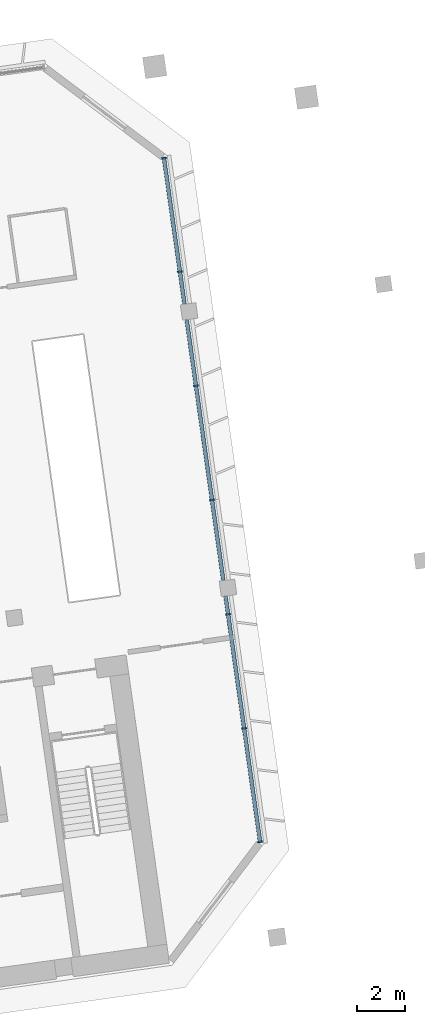
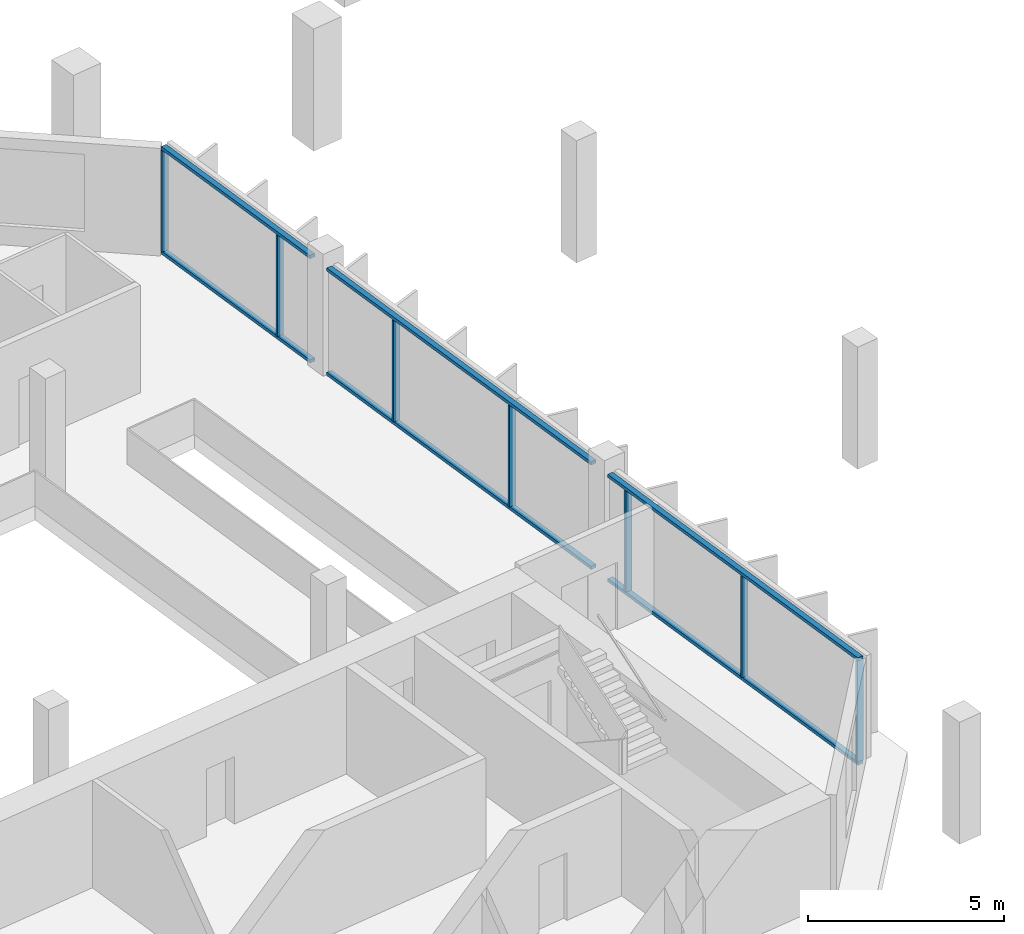
# One storey, part 11 of 26: 13 members, 1 element without a shape of its own.
"""IFC4 building model written with IfcOpenShell, lengths in metres."""

from ifc_helpers import new_model, si_unit, direction, frame, origin, origin_2d, place, context, subcontext, project, spatial, rectangle, extrude, material, material_profile, profile_set, type_object, element, aggregate, save


model = new_model("IFC4")

# Units and contexts
model_context = context("Model", 3, precision=1e-05, world=origin(), true_north=direction((0.0, 1.0)))
body_context = subcontext(model_context, "Body", "Model", "MODEL_VIEW")
ifc_project = project(units=[si_unit("LENGTHUNIT", "METRE"), si_unit("AREAUNIT", "SQUARE_METRE"), si_unit("VOLUMEUNIT", "CUBIC_METRE"), si_unit("PLANEANGLEUNIT", "RADIAN"), si_unit("MASSUNIT", "GRAM", prefix="KILO")], contexts=[model_context])

# Site, building, storey
site_placement = place(None, origin())
site = spatial("IfcSite", under=ifc_project, at=site_placement, CompositionType="ELEMENT")
building_placement = place(site_placement, origin())
building = spatial("IfcBuilding", under=site, at=building_placement, Name="Mirante Cascada Hotel Towers", CompositionType="ELEMENT")
storey_placement = place(building_placement, frame((0.0, 0.0, 98.7)))
storey = spatial("IfcBuildingStorey", under=building, at=storey_placement, Name="L21", CompositionType="ELEMENT", Elevation=98.7)

# Curtain wall, members
ifc_material_1 = material(Name="Aluminium mullion and transom frame with clear laminated glass", Category="aluminium")
curtain_wall_type = type_object("IfcCurtainWallType", Name="End ribbon curtain wall ECW2", PredefinedType="NOTDEFINED", material=ifc_material_1)
curtain_wall_placement = place(storey_placement, origin())
curtain_wall = element("IfcCurtainWall", 1, at=curtain_wall_placement, inside=storey, type_object=curtain_wall_type, Name="Outer end wall T2 L21", PredefinedType="NOTDEFINED")
ifc_material_2 = material(Name="Anodised aluminium extrusion", Category="aluminium")
ifc_material_profile_1 = material_profile(ifc_material_2, rectangle(XDim=0.2, YDim=0.065, at=origin_2d()), Name="ECW2 MULLION 65x200")
ifc_profile_set_1 = profile_set([ifc_material_profile_1], Name="Anodised aluminium extrusion")
member_type_1 = type_object("IfcMemberType", Name="ECW2 mullion 65x200", PredefinedType="MULLION", material=ifc_profile_set_1)
member_1_placement = place(storey_placement, frame((94.2432, -7.5181, 0.1), z_axis=(0.0, 0.0, 1.0), x_axis=(-0.9902681, -0.1391731, 0.0)))
member_1 = element("IfcMember", 2, at=member_1_placement, type_object=member_type_1, Name="ECW2 mullion 1", PredefinedType="MULLION", context=body_context, shape_type="SweptSolid", body=[
    extrude(rectangle(XDim=0.2, YDim=0.065, at=origin_2d()), origin(), (0.0, 0.0, 1.0), 3.15),
])
member_2_placement = place(storey_placement, frame((93.5779, -2.7845, 0.1), z_axis=(0.0, 0.0, 1.0), x_axis=(-0.9902681, -0.1391731, 0.0)))
member_2 = element("IfcMember", 3, at=member_2_placement, type_object=member_type_1, Name="ECW2 mullion 2", PredefinedType="MULLION", context=body_context, shape_type="SweptSolid", body=[
    extrude(rectangle(XDim=0.2, YDim=0.065, at=origin_2d()), origin(), (0.0, 0.0, 1.0), 3.15),
])
member_3_placement = place(storey_placement, frame((92.9081, 1.9812, 0.1), z_axis=(0.0, 0.0, 1.0), x_axis=(-0.9902681, -0.1391731, 0.0)))
member_3 = element("IfcMember", 4, at=member_3_placement, type_object=member_type_1, Name="ECW2 mullion 3", PredefinedType="MULLION", context=body_context, shape_type="SweptSolid", body=[
    extrude(rectangle(XDim=0.2, YDim=0.065, at=origin_2d()), origin(), (0.0, 0.0, 1.0), 3.15),
])
member_4_placement = place(storey_placement, frame((92.2383, 6.747, 0.1), z_axis=(0.0, 0.0, 1.0), x_axis=(-0.9902681, -0.1391731, 0.0)))
member_4 = element("IfcMember", 5, at=member_4_placement, type_object=member_type_1, Name="ECW2 mullion 4", PredefinedType="MULLION", context=body_context, shape_type="SweptSolid", body=[
    extrude(rectangle(XDim=0.2, YDim=0.065, at=origin_2d()), origin(), (0.0, 0.0, 1.0), 3.15),
])
member_5_placement = place(storey_placement, frame((91.5686, 11.5128, 0.1), z_axis=(0.0, 0.0, 1.0), x_axis=(-0.9902681, -0.1391731, 0.0)))
member_5 = element("IfcMember", 6, at=member_5_placement, type_object=member_type_1, Name="ECW2 mullion 5", PredefinedType="MULLION", context=body_context, shape_type="SweptSolid", body=[
    extrude(rectangle(XDim=0.2, YDim=0.065, at=origin_2d()), origin(), (0.0, 0.0, 1.0), 3.15),
])
member_6_placement = place(storey_placement, frame((90.8988, 16.2786, 0.1), z_axis=(0.0, 0.0, 1.0), x_axis=(-0.9902681, -0.1391731, 0.0)))
member_6 = element("IfcMember", 7, at=member_6_placement, type_object=member_type_1, Name="ECW2 mullion 6", PredefinedType="MULLION", context=body_context, shape_type="SweptSolid", body=[
    extrude(rectangle(XDim=0.2, YDim=0.065, at=origin_2d()), origin(), (0.0, 0.0, 1.0), 3.15),
])
member_7_placement = place(storey_placement, frame((90.2335, 21.0122, 0.1), z_axis=(0.0, 0.0, 1.0), x_axis=(-0.9902681, -0.1391731, 0.0)))
member_7 = element("IfcMember", 8, at=member_7_placement, type_object=member_type_1, Name="ECW2 mullion 7", PredefinedType="MULLION", context=body_context, shape_type="SweptSolid", body=[
    extrude(rectangle(XDim=0.2, YDim=0.065, at=origin_2d()), origin(), (0.0, 0.0, 1.0), 3.15),
])
ifc_material_3 = material(Name="Anodised aluminium extrusion", Category="aluminium")
ifc_material_profile_2 = material_profile(ifc_material_3, rectangle(XDim=0.16, YDim=0.1, at=origin_2d()), Name="ECW2 TRANSOM 100x160")
ifc_profile_set_2 = profile_set([ifc_material_profile_2], Name="Anodised aluminium extrusion")
member_type_2 = type_object("IfcMemberType", Name="ECW2 transom 100x160", PredefinedType="USERDEFINED", material=ifc_profile_set_2)
member_8_placement = place(storey_placement, frame((94.2477, -7.5503, 0.05), z_axis=(-0.1391713, 0.9902683, 0.0), x_axis=(-0.9902683, -0.1391713, 0.0)))
member_8 = element("IfcMember", 9, at=member_8_placement, type_object=member_type_2, Name="ECW2 sill transom", ObjectType="TRANSOM", PredefinedType="USERDEFINED", context=body_context, shape_type="SweptSolid", body=[
    extrude(rectangle(XDim=0.16, YDim=0.1, at=origin_2d()), origin(), (0.0, 0.0, 1.0), 10.3678),
])
member_9_placement = place(storey_placement, frame((92.7088, 3.3999, 0.05), z_axis=(-0.1391779, 0.9902674, 0.0), x_axis=(-0.9902674, -0.1391779, 0.0)))
member_9 = element("IfcMember", 10, at=member_9_placement, type_object=member_type_2, Name="ECW2 sill transom", ObjectType="TRANSOM", PredefinedType="USERDEFINED", context=body_context, shape_type="SweptSolid", body=[
    extrude(rectangle(XDim=0.16, YDim=0.1, at=origin_2d()), origin(), (0.0, 0.0, 1.0), 10.9601),
])
member_10_placement = place(storey_placement, frame((91.0874, 14.9365, 0.05), z_axis=(-0.1391716, 0.9902683, 0.0), x_axis=(-0.9902683, -0.1391716, 0.0)))
member_10 = element("IfcMember", 11, at=member_10_placement, type_object=member_type_2, Name="ECW2 sill transom", ObjectType="TRANSOM", PredefinedType="USERDEFINED", context=body_context, shape_type="SweptSolid", body=[
    extrude(rectangle(XDim=0.16, YDim=0.1, at=origin_2d()), origin(), (0.0, 0.0, 1.0), 6.1679),
])
member_11_placement = place(storey_placement, frame((94.2477, -7.5503, 3.3), z_axis=(-0.1391713, 0.9902683, 0.0), x_axis=(-0.9902683, -0.1391713, 0.0)))
member_11 = element("IfcMember", 12, at=member_11_placement, type_object=member_type_2, Name="ECW2 head transom", ObjectType="TRANSOM", PredefinedType="USERDEFINED", context=body_context, shape_type="SweptSolid", body=[
    extrude(rectangle(XDim=0.16, YDim=0.1, at=origin_2d()), origin(), (0.0, 0.0, 1.0), 10.3678),
])
member_12_placement = place(storey_placement, frame((92.7088, 3.3999, 3.3), z_axis=(-0.1391779, 0.9902674, 0.0), x_axis=(-0.9902674, -0.1391779, 0.0)))
member_12 = element("IfcMember", 13, at=member_12_placement, type_object=member_type_2, Name="ECW2 head transom", ObjectType="TRANSOM", PredefinedType="USERDEFINED", context=body_context, shape_type="SweptSolid", body=[
    extrude(rectangle(XDim=0.16, YDim=0.1, at=origin_2d()), origin(), (0.0, 0.0, 1.0), 10.9601),
])
member_13_placement = place(storey_placement, frame((91.0874, 14.9365, 3.3), z_axis=(-0.1391716, 0.9902683, 0.0), x_axis=(-0.9902683, -0.1391716, 0.0)))
member_13 = element("IfcMember", 14, at=member_13_placement, type_object=member_type_2, Name="ECW2 head transom", ObjectType="TRANSOM", PredefinedType="USERDEFINED", context=body_context, shape_type="SweptSolid", body=[
    extrude(rectangle(XDim=0.16, YDim=0.1, at=origin_2d()), origin(), (0.0, 0.0, 1.0), 6.1679),
])
aggregate(curtain_wall, [member_8, member_9, member_10, member_11, member_12, member_13, member_1, member_2, member_3, member_4, member_5, member_6, member_7])

save(model, "model.ifc")
